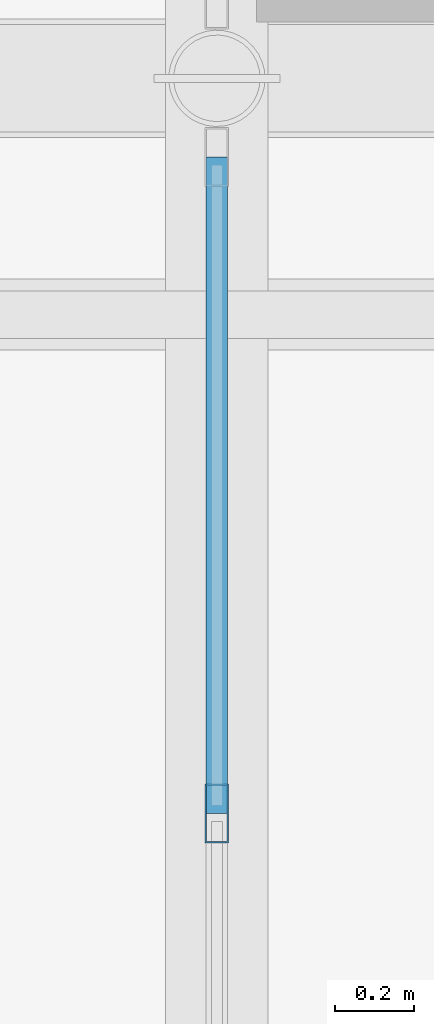
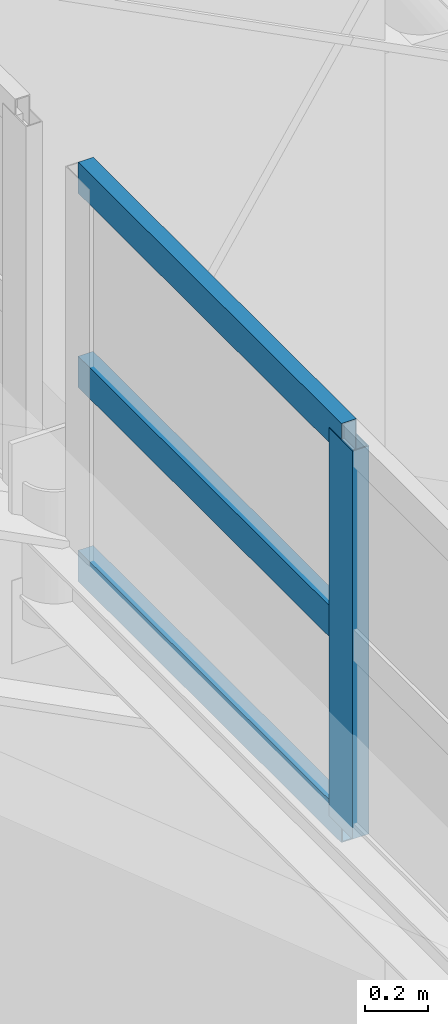
# One storey, part 54 of 84: 4 members, 1 element without a shape of its own.
"""IFC4 building model written with IfcOpenShell, lengths in metres."""

from ifc_helpers import new_model, si_unit, direction, frame, origin, origin_2d, place, context, subcontext, project, spatial, hollow_rectangle, extrude, material, layer, layer_set, material_profile, profile_set, type_object, element, aggregate, save


model = new_model("IFC4")

# Units and contexts
model_context = context("Model", 3, precision=1e-05, world=origin(), true_north=direction((0.0, 1.0)))
body_context = subcontext(model_context, "Body", "Model", "MODEL_VIEW")
ifc_project = project(units=[si_unit("LENGTHUNIT", "METRE"), si_unit("AREAUNIT", "SQUARE_METRE"), si_unit("VOLUMEUNIT", "CUBIC_METRE"), si_unit("PLANEANGLEUNIT", "RADIAN"), si_unit("MASSUNIT", "GRAM", prefix="KILO")], contexts=[model_context])

# Site, building, storey
site_placement = place(None, origin())
site = spatial("IfcSite", under=ifc_project, at=site_placement, CompositionType="ELEMENT")
building_placement = place(site_placement, origin())
building = spatial("IfcBuilding", under=site, at=building_placement, Name="Sundgate Opera House", CompositionType="ELEMENT")
storey_placement = place(building_placement, frame((0.0, 0.0, 30.60009765625)))
storey = spatial("IfcBuildingStorey", under=building, at=storey_placement, Name="L06", CompositionType="ELEMENT", Elevation=30.60009765625)

# Curtain wall, members
ifc_material_1 = material(Name="Anodized aluminium and low-iron glass", Category="aluminium")
ifc_layer = layer(ifc_material_1, 0.169921875)
ifc_layer_set = layer_set([ifc_layer], Name="Anodized aluminium and low-iron glass")
curtain_wall_type = type_object("IfcCurtainWallType", Name="CW-LANTERN-POLY", PredefinedType="NOTDEFINED", material=ifc_layer_set)
curtain_wall_placement = place(storey_placement, origin())
curtain_wall = element("IfcCurtainWall", 1, at=curtain_wall_placement, inside=storey, type_object=curtain_wall_type, Name="L06 Curtain Wall CW186", PredefinedType="NOTDEFINED")
ifc_material_2 = material(Name="Anodized aluminium EN AW-6063", Category="aluminium")
ifc_material_profile_1 = material_profile(ifc_material_2, hollow_rectangle(XDim=0.06005859375, YDim=0.14990234375, WallThickness=0.00390625, at=origin_2d()), Name="CWM 150x60x4")
ifc_profile_set_1 = profile_set([ifc_material_profile_1], Name="Anodized aluminium EN AW-6063")
member_type_1 = type_object("IfcMemberType", Name="CWM-ALU-150x60", PredefinedType="MULLION", material=ifc_profile_set_1)
member_1_placement = place(storey_placement, frame((56.5, 79.7333984375, 16.199951171875), z_axis=(0.0, 0.0, 1.0), x_axis=(1.0, 0.0, 0.0)))
member_1 = element("IfcMember", 2, at=member_1_placement, type_object=member_type_1, Name="CW186 Mullion 3", PredefinedType="MULLION", context=body_context, shape_type="SweptSolid", body=[
    extrude(hollow_rectangle(XDim=0.06005859375, YDim=0.14990234375, WallThickness=0.00390625, at=origin_2d()), origin(), (0.0, 0.0, 1.0), 1.5),
])
ifc_material_3 = material(Name="Anodized aluminium EN AW-6063", Category="aluminium")
ifc_material_profile_2 = material_profile(ifc_material_3, hollow_rectangle(XDim=0.054931640625, YDim=0.1201171875, WallThickness=0.00390625, at=origin_2d()), Name="CWT 120x55x4")
ifc_profile_set_2 = profile_set([ifc_material_profile_2], Name="Anodized aluminium EN AW-6063")
member_type_2 = type_object("IfcMemberType", Name="CWT-ALU-120x55", PredefinedType="USERDEFINED", material=ifc_profile_set_2)
member_2_placement = place(storey_placement, frame((56.5, 79.7333984375, 16.199951171875), z_axis=(0.0, 1.0, 0.0), x_axis=(-1.0, 0.0, 0.0)))
member_2 = element("IfcMember", 3, at=member_2_placement, type_object=member_type_2, Name="CW186 Transom 7", ObjectType="TRANSOM", PredefinedType="USERDEFINED", context=body_context, shape_type="SweptSolid", body=[
    extrude(hollow_rectangle(XDim=0.054931640625, YDim=0.1201171875, WallThickness=0.00390625, at=origin_2d()), origin(), (0.0, 0.0, 1.0), 1.66650390625),
])
member_3_placement = place(storey_placement, frame((56.5, 79.7333984375, 16.949951171875), z_axis=(0.0, 1.0, 0.0), x_axis=(-1.0, 0.0, 0.0)))
member_3 = element("IfcMember", 4, at=member_3_placement, type_object=member_type_2, Name="CW186 Transom 8", ObjectType="TRANSOM", PredefinedType="USERDEFINED", context=body_context, shape_type="SweptSolid", body=[
    extrude(hollow_rectangle(XDim=0.054931640625, YDim=0.1201171875, WallThickness=0.00390625, at=origin_2d()), origin(), (0.0, 0.0, 1.0), 1.66650390625),
])
member_4_placement = place(storey_placement, frame((56.5, 79.7333984375, 17.699951171875), z_axis=(0.0, 1.0, 0.0), x_axis=(-1.0, 0.0, 0.0)))
member_4 = element("IfcMember", 5, at=member_4_placement, type_object=member_type_2, Name="CW186 Transom 9", ObjectType="TRANSOM", PredefinedType="USERDEFINED", context=body_context, shape_type="SweptSolid", body=[
    extrude(hollow_rectangle(XDim=0.054931640625, YDim=0.1201171875, WallThickness=0.00390625, at=origin_2d()), origin(), (0.0, 0.0, 1.0), 1.66650390625),
])
aggregate(curtain_wall, [member_1, member_2, member_3, member_4])

save(model, "model.ifc")
